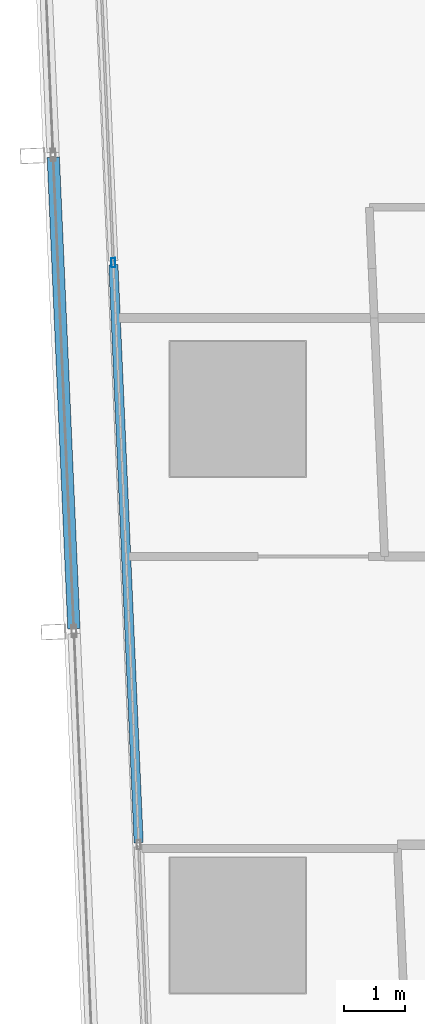
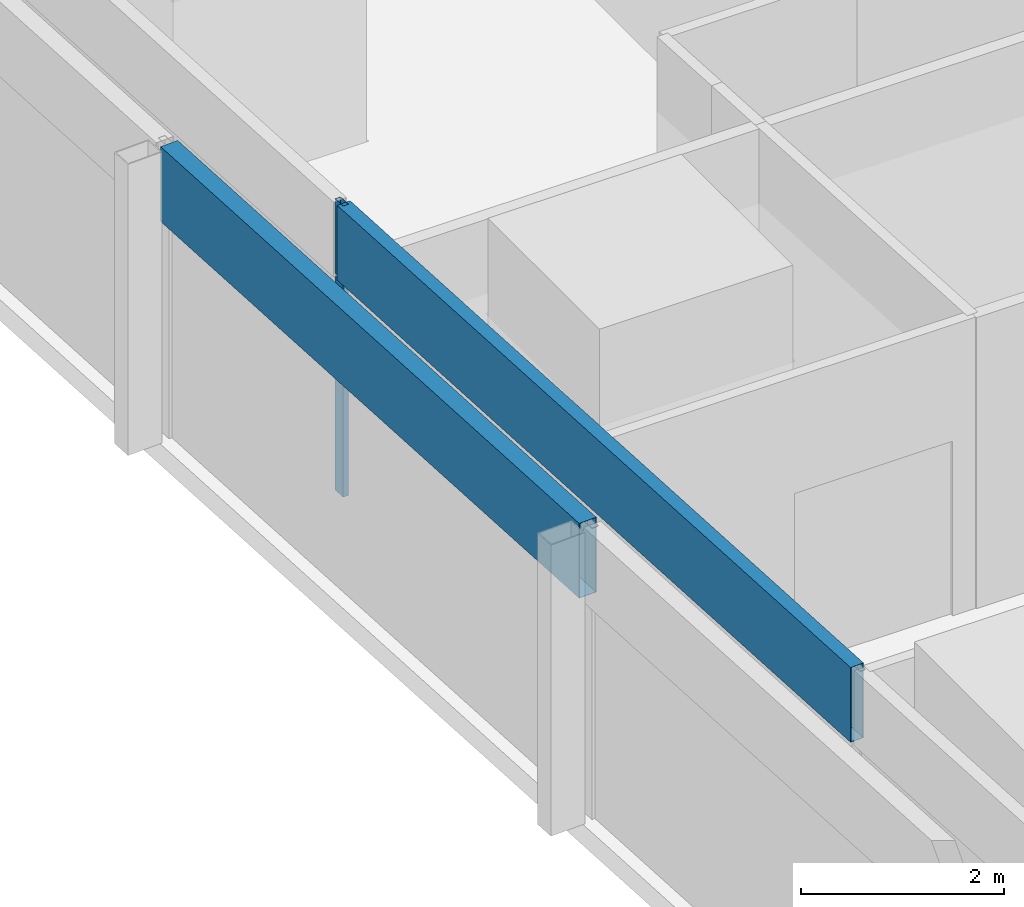
# One storey, part 8 of 42: 3 members, 2 elements without a shape of their own.
"""IFC4 building model written with IfcOpenShell, lengths in metres."""

from ifc_helpers import new_model, si_unit, direction, frame, origin, origin_2d, place, context, subcontext, project, spatial, hollow_rectangle, extrude, material, material_profile, profile_set, type_object, element, aggregate, save


model = new_model("IFC4")

# Units and contexts
model_context = context("Model", 3, precision=1e-05, world=origin(), true_north=direction((0.0, 1.0)))
body_context = subcontext(model_context, "Body", "Model", "MODEL_VIEW")
ifc_project = project(units=[si_unit("LENGTHUNIT", "METRE"), si_unit("AREAUNIT", "SQUARE_METRE"), si_unit("VOLUMEUNIT", "CUBIC_METRE"), si_unit("PLANEANGLEUNIT", "RADIAN"), si_unit("MASSUNIT", "GRAM", prefix="KILO")], contexts=[model_context])

# Site, building, storey
site_placement = place(None, origin())
site = spatial("IfcSite", under=ifc_project, at=site_placement, CompositionType="ELEMENT")
building_placement = place(site_placement, origin())
building = spatial("IfcBuilding", under=site, at=building_placement, Name="Rekha Terrace Tower", CompositionType="ELEMENT")
storey_placement = place(building_placement, frame((0.0, 0.0, 40.39990234375)))
storey = spatial("IfcBuildingStorey", under=building, at=storey_placement, Name="L09", CompositionType="ELEMENT", Elevation=40.39990234375)

# Curtain wall, members
ifc_material_1 = material(Name="Aluminium framing", Category="aluminium")
curtain_wall_type_1 = type_object("IfcCurtainWallType", Name="CW1 double skin inner glazing", PredefinedType="USERDEFINED", material=ifc_material_1)
curtain_wall_1_placement = place(storey_placement, origin())
curtain_wall_1 = element("IfcCurtainWall", 1, at=curtain_wall_1_placement, inside=storey, type_object=curtain_wall_type_1, Name="CW1 double skin inner glazing", ObjectType="DOUBLE SKIN INNER GLAZING", PredefinedType="USERDEFINED")
ifc_material_2 = material(Name="Aluminium mullion section", Category="aluminium")
ifc_material_profile_1 = material_profile(ifc_material_2, hollow_rectangle(XDim=0.06494140625, YDim=0.14990234375, WallThickness=0.00390625, at=origin_2d()), Name="AL RHS 65x150")
ifc_profile_set_1 = profile_set([ifc_material_profile_1], Name="Aluminium mullion section")
member_type_1 = type_object("IfcMemberType", Name="CW1 mullion RHS 65 x 150", PredefinedType="MULLION", material=ifc_profile_set_1)
member_1_placement = place(storey_placement, frame((6.37646484375, 35.978271484375, 0.0), z_axis=(0.0, 0.0, 1.0), x_axis=(0.999045462133, 0.043682543337, 0.0)))
member_1 = element("IfcMember", 2, at=member_1_placement, type_object=member_type_1, Name="CW1 mullion 2", PredefinedType="MULLION", context=body_context, shape_type="SweptSolid", body=[
    extrude(hollow_rectangle(XDim=0.06494140625, YDim=0.14990234375, WallThickness=0.00390625, at=origin_2d()), origin(), (0.0, 0.0, 1.0), 3.5),
])
ifc_material_3 = material(Name="Insulated aluminium spandrel box", Category="aluminium")
ifc_material_profile_2 = material_profile(ifc_material_3, hollow_rectangle(XDim=0.14990234375, YDim=0.89990234375, WallThickness=0.0029296875, at=origin_2d()), Name="AL SPANDREL BOX 150x900")
ifc_profile_set_2 = profile_set([ifc_material_profile_2], Name="Insulated aluminium spandrel box")
member_type_2 = type_object("IfcMemberType", Name="CW1 spandrel transom 150 x 900", PredefinedType="USERDEFINED", material=ifc_profile_set_2)
member_2_placement = place(storey_placement, frame((6.3779296875, 35.94580078125, 3.050048828125), z_axis=(0.043666917606, -0.999046145234, 0.0), x_axis=(0.999046145234, 0.043666917606, 0.0)))
member_2 = element("IfcMember", 3, at=member_2_placement, type_object=member_type_2, Name="CW1 spandrel transom 2", ObjectType="TRANSOM", PredefinedType="USERDEFINED", context=body_context, shape_type="SweptSolid", body=[
    extrude(hollow_rectangle(XDim=0.14990234375, YDim=0.89990234375, WallThickness=0.0029296875, at=origin_2d()), origin(), (0.0, 0.0, 1.0), 9.40966796875),
])
aggregate(curtain_wall_1, [member_1, member_2])

# Curtain wall, member
curtain_wall_type_2 = type_object("IfcCurtainWallType", Name="CW2 double skin outer glazing", PredefinedType="USERDEFINED", material=ifc_material_1)
curtain_wall_2_placement = place(storey_placement, origin())
curtain_wall_2 = element("IfcCurtainWall", 4, at=curtain_wall_2_placement, inside=storey, type_object=curtain_wall_type_2, Name="CW2 double skin outer glazing", ObjectType="DOUBLE SKIN OUTER GLAZING", PredefinedType="USERDEFINED")
ifc_material_profile_3 = material_profile(ifc_material_3, hollow_rectangle(XDim=0.199951171875, YDim=0.89990234375, WallThickness=0.0029296875, at=origin_2d()), Name="AL SPANDREL BOX 200x900")
ifc_profile_set_3 = profile_set([ifc_material_profile_3], Name="Insulated aluminium spandrel box")
member_type_3 = type_object("IfcMemberType", Name="CW2 spandrel transom 200 x 900", PredefinedType="USERDEFINED", material=ifc_profile_set_3)
member_3_placement = place(storey_placement, frame((5.400634765625, 37.690185546875, 3.050048828125), z_axis=(0.04369270591, -0.99904501773, 0.0), x_axis=(0.99904501773, 0.04369270591, 0.0)))
member_3 = element("IfcMember", 5, at=member_3_placement, type_object=member_type_3, Name="CW2 spandrel transom 2", ObjectType="TRANSOM", PredefinedType="USERDEFINED", context=body_context, shape_type="SweptSolid", body=[
    extrude(hollow_rectangle(XDim=0.199951171875, YDim=0.89990234375, WallThickness=0.0029296875, at=origin_2d()), origin(), (0.0, 0.0, 1.0), 7.671875),
])
aggregate(curtain_wall_2, [member_3])

save(model, "model.ifc")
